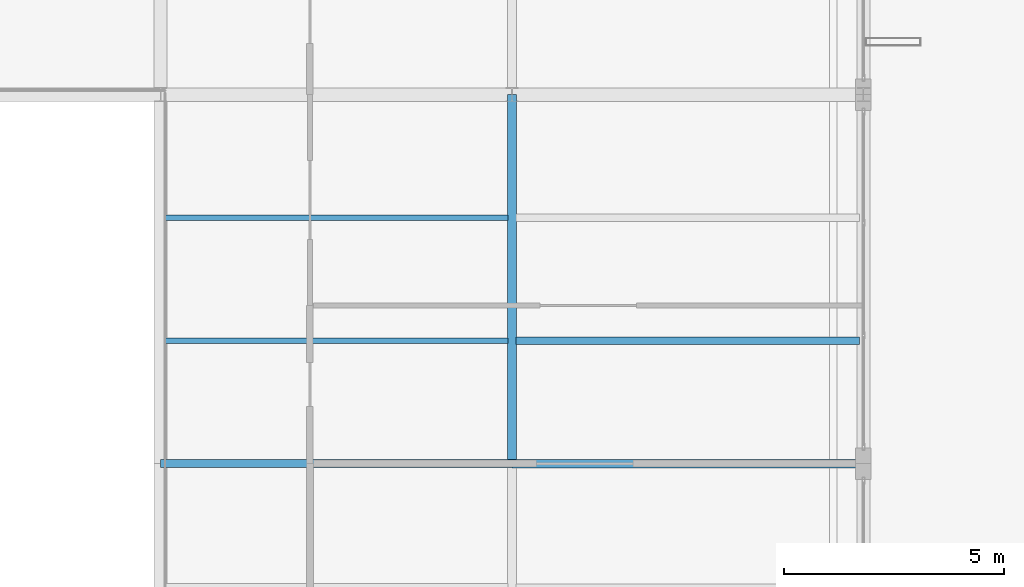
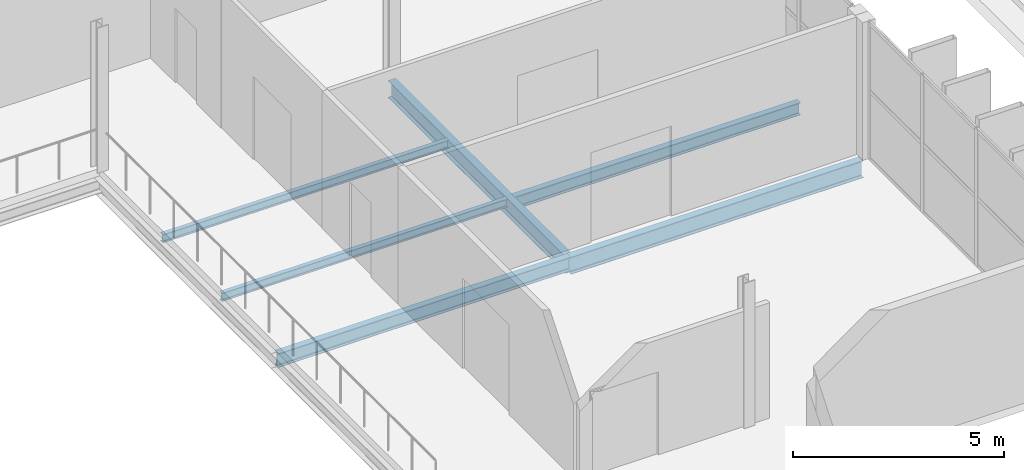
# One storey, part 43 of 93: 6 beams.
"""IFC4 building model written with IfcOpenShell, lengths in metres."""

from ifc_helpers import new_model, si_unit, direction, frame, origin, origin_2d, place, context, subcontext, project, spatial, i_section, extrude, material, material_profile, profile_set, type_object, element, save


model = new_model("IFC4")

# Units and contexts
model_context = context("Model", 3, precision=1e-05, world=origin(), true_north=direction((0.0, 1.0)))
body_context = subcontext(model_context, "Body", "Model", "MODEL_VIEW")
ifc_project = project(units=[si_unit("LENGTHUNIT", "METRE"), si_unit("AREAUNIT", "SQUARE_METRE"), si_unit("VOLUMEUNIT", "CUBIC_METRE"), si_unit("PLANEANGLEUNIT", "RADIAN"), si_unit("MASSUNIT", "GRAM", prefix="KILO")], contexts=[model_context])

# Site, building, storey
site_placement = place(None, origin())
site = spatial("IfcSite", under=ifc_project, at=site_placement, CompositionType="ELEMENT")
building_placement = place(site_placement, origin())
building = spatial("IfcBuilding", under=site, at=building_placement, Name="Vekula Escarpment Museum", CompositionType="ELEMENT")
storey_placement = place(building_placement, frame((0.0, 0.0, 22.199951171875)))
storey = spatial("IfcBuildingStorey", under=building, at=storey_placement, Name="L05", CompositionType="ELEMENT", Elevation=22.199951171875)

# Beams
ifc_material_1 = material(Name="Steel S355", Category="steel")
ifc_material_profile_1 = material_profile(ifc_material_1, i_section(OverallWidth=0.179931640625, OverallDepth=0.39990234375, WebThickness=0.008544921875, FlangeThickness=0.013427734375, FilletRadius=0.02099609375, at=origin_2d()), Name="IPE 400")
ifc_profile_set_1 = profile_set([ifc_material_profile_1], Name="Steel S355")
beam_type_1 = type_object("IfcBeamType", Name="BM-GIRD-IPE400", PredefinedType="BEAM", material=ifc_profile_set_1)
beam_1_placement = place(storey_placement, frame((110.0, 68.0, -0.419921875), z_axis=(1.0, 0.0, 0.0), x_axis=(0.0, 1.0, 0.0)))
element("IfcBeam", 1, at=beam_1_placement, inside=storey, type_object=beam_type_1, Name="Beam X L05 2001", PredefinedType="BEAM", context=body_context, shape_type="SweptSolid", body=[
    extrude(i_section(OverallWidth=0.179931640625, OverallDepth=0.39990234375, WebThickness=0.008544921875, FlangeThickness=0.013427734375, FilletRadius=0.02099609375, at=origin_2d()), origin(), (0.0, 0.0, 1.0), 8.0),
])
ifc_material_2 = material(Name="Steel S355", Category="steel")
ifc_material_profile_2 = material_profile(ifc_material_2, i_section(OverallWidth=0.199951171875, OverallDepth=0.5, WebThickness=0.01025390625, FlangeThickness=0.01611328125, FilletRadius=0.02099609375, at=origin_2d()), Name="IPE 500")
ifc_profile_set_2 = profile_set([ifc_material_profile_2], Name="Steel S355")
beam_type_2 = type_object("IfcBeamType", Name="BM-GIRD-IPE500", PredefinedType="BEAM", material=ifc_profile_set_2)
beam_2_placement = place(storey_placement, frame((118.0, 68.0, -0.469970703125), z_axis=(1.0, 0.0, 0.0), x_axis=(0.0, 1.0, 0.0)))
element("IfcBeam", 2, at=beam_2_placement, inside=storey, type_object=beam_type_2, Name="Beam X L05 2002", PredefinedType="BEAM", context=body_context, shape_type="SweptSolid", body=[
    extrude(i_section(OverallWidth=0.199951171875, OverallDepth=0.5, WebThickness=0.01025390625, FlangeThickness=0.01611328125, FilletRadius=0.02099609375, at=origin_2d()), origin(), (0.0, 0.0, 1.0), 8.0),
])
beam_3_placement = place(storey_placement, frame((118.0, 68.0, -0.469970703125), z_axis=(0.0, 1.0, 0.0), x_axis=(-1.0, 0.0, 0.0)))
element("IfcBeam", 3, at=beam_3_placement, inside=storey, type_object=beam_type_2, Name="Beam Y L05 2148", PredefinedType="BEAM", context=body_context, shape_type="SweptSolid", body=[
    extrude(i_section(OverallWidth=0.199951171875, OverallDepth=0.5, WebThickness=0.01025390625, FlangeThickness=0.01611328125, FilletRadius=0.02099609375, at=origin_2d()), origin(), (0.0, 0.0, 1.0), 8.39990234375),
])
ifc_material_3 = material(Name="Steel S355", Category="steel")
ifc_material_profile_3 = material_profile(ifc_material_3, i_section(OverallWidth=0.1201171875, OverallDepth=0.239990234375, WebThickness=0.006103515625, FlangeThickness=0.009765625, FilletRadius=0.014892578125, at=origin_2d()), Name="IPE 240")
ifc_profile_set_3 = profile_set([ifc_material_profile_3], Name="Steel S355")
beam_type_3 = type_object("IfcBeamType", Name="BM-JST-IPE240", PredefinedType="JOIST", material=ifc_profile_set_3)
for number, where, z_axis, x_axis, name in (
    (4, (110.090087890625, 70.800048828125, -0.33984375), (1.0, 0.0, 0.0), (0.0, 1.0, 0.0), "Secondary Joist L05 1370"),
    (5, (110.090087890625, 73.60009765625, -0.33984375), (1.0, 0.0, 0.0), (0.0, 1.0, 0.0), "Secondary Joist L05 1371"),
):
    element("IfcBeam", number, at=place(storey_placement, frame(where, z_axis=z_axis, x_axis=x_axis)), inside=storey, type_object=beam_type_3, Name=name, PredefinedType="JOIST", context=body_context, shape_type="SweptSolid", body=[
        extrude(i_section(OverallWidth=0.1201171875, OverallDepth=0.239990234375, WebThickness=0.006103515625, FlangeThickness=0.009765625, FilletRadius=0.014892578125, at=origin_2d()), origin(), (0.0, 0.0, 1.0), 7.81982421875),
    ])
ifc_material_4 = material(Name="Steel S355", Category="steel")
ifc_material_profile_4 = material_profile(ifc_material_4, i_section(OverallWidth=0.169921875, OverallDepth=0.360107421875, WebThickness=0.008056640625, FlangeThickness=0.0126953125, FilletRadius=0.01806640625, at=origin_2d()), Name="IPE 360")
ifc_profile_set_4 = profile_set([ifc_material_profile_4], Name="Steel S355")
beam_type_4 = type_object("IfcBeamType", Name="BM-JST-IPE360", PredefinedType="JOIST", material=ifc_profile_set_4)
beam_4_placement = place(storey_placement, frame((118.090087890625, 70.800048828125, -0.39990234375), z_axis=(1.0, 0.0, 0.0), x_axis=(0.0, 1.0, 0.0)))
element("IfcBeam", 6, at=beam_4_placement, inside=storey, type_object=beam_type_4, Name="Secondary Joist L05 1377", PredefinedType="JOIST", context=body_context, shape_type="SweptSolid", body=[
    extrude(i_section(OverallWidth=0.169921875, OverallDepth=0.360107421875, WebThickness=0.008056640625, FlangeThickness=0.0126953125, FilletRadius=0.01806640625, at=origin_2d()), origin(), (0.0, 0.0, 1.0), 7.81982421875),
])

save(model, "model.ifc")
